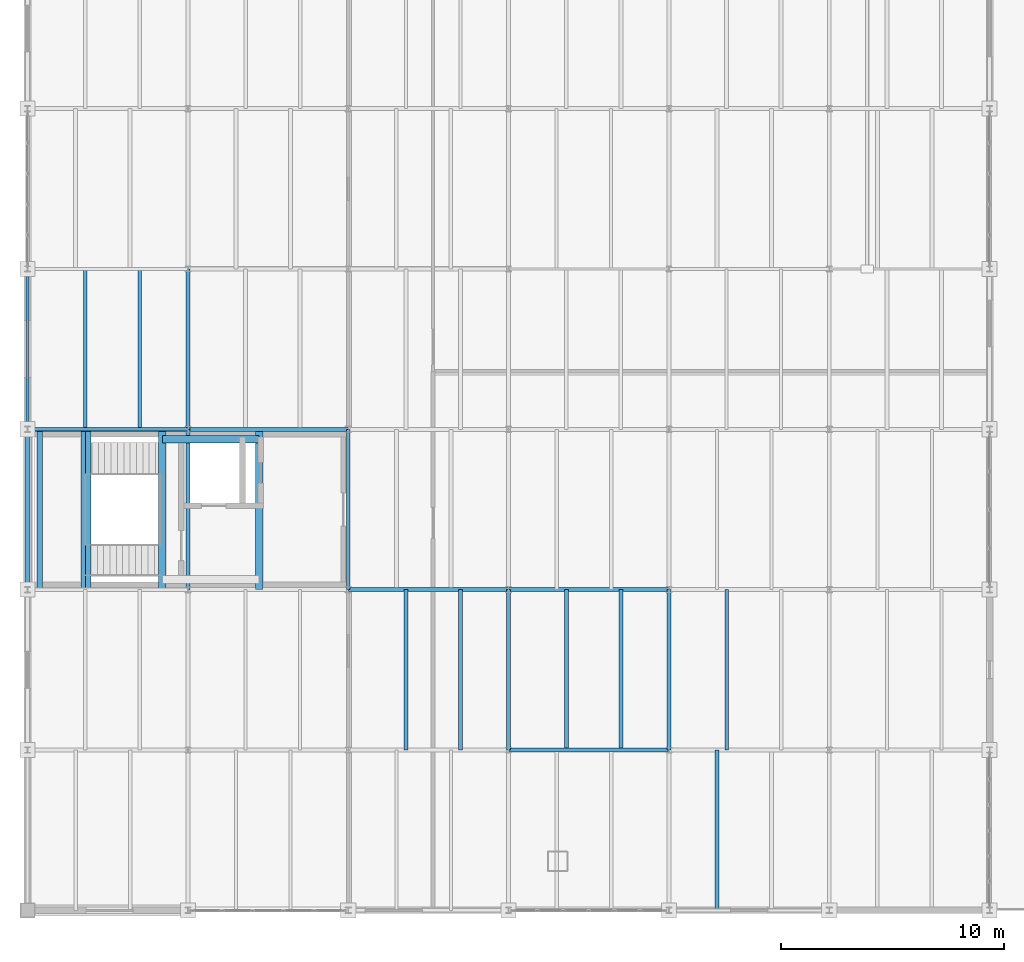
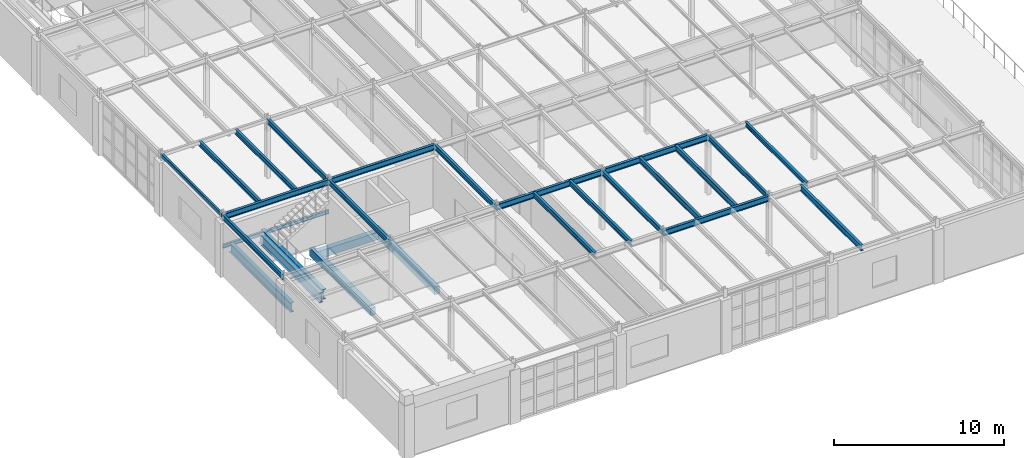
# One storey, part 11 of 36: 27 beams.
"""IFC4 building model written with IfcOpenShell, lengths in metres."""

from ifc_helpers import new_model, si_unit, direction, frame, origin, origin_2d, place, context, subcontext, project, spatial, rectangle, hollow_rectangle, i_section, extrude, material, material_profile, profile_set, type_object, element, save


model = new_model("IFC4")

# Units and contexts
model_context = context("Model", 3, precision=1e-05, world=origin(), true_north=direction((0.0, 1.0)))
body_context = subcontext(model_context, "Body", "Model", "MODEL_VIEW")
ifc_project = project(units=[si_unit("LENGTHUNIT", "METRE"), si_unit("AREAUNIT", "SQUARE_METRE"), si_unit("VOLUMEUNIT", "CUBIC_METRE"), si_unit("PLANEANGLEUNIT", "RADIAN"), si_unit("MASSUNIT", "GRAM", prefix="KILO")], contexts=[model_context])

# Site, building, storey
site_placement = place(None, origin())
site = spatial("IfcSite", under=ifc_project, at=site_placement, CompositionType="ELEMENT")
building_placement = place(site_placement, origin())
building = spatial("IfcBuilding", under=site, at=building_placement, Name="Kemerveld Promenade Tramway Depot", CompositionType="ELEMENT")
storey_placement = place(building_placement, frame((0.0, 0.0, 14.39990234375)))
storey = spatial("IfcBuildingStorey", under=building, at=storey_placement, Name="L03", CompositionType="ELEMENT", Elevation=14.39990234375)

# Beams
ifc_material_1 = material(Name="Steel S355", Category="steel")
ifc_material_profile_1 = material_profile(ifc_material_1, i_section(OverallWidth=0.25439453125, OverallDepth=0.6875, WebThickness=0.01318359375, FlangeThickness=0.02099609375, FilletRadius=0.01513671875, at=origin_2d()), Name="686x254x152 UB")
ifc_profile_set_1 = profile_set([ifc_material_profile_1], Name="Steel S355")
beam_type_1 = type_object("IfcBeamType", Name="BM-G03", PredefinedType="BEAM", material=ifc_profile_set_1)
for number, where, z_axis, x_axis, name in (
    (1, (0.550048828125, 14.39990234375, 1.726318359375), (0.0, 1.0, 0.0), (-1.0, 0.0, 0.0), "BM-HL-ST-01-L03-W"),
    (2, (2.530029296875, 14.39990234375, 1.726318359375), (0.0, 1.0, 0.0), (-1.0, 0.0, 0.0), "BM-HL-ST-01-L03-M"),
    (3, (2.719970703125, 14.39990234375, 1.90625), (0.0, 1.0, 0.0), (-1.0, 0.0, 0.0), "BM-HL-ST-01-L03-F2"),
):
    element("IfcBeam", number, at=place(storey_placement, frame(where, z_axis=z_axis, x_axis=x_axis)), inside=storey, type_object=beam_type_1, Name=name, PredefinedType="BEAM", context=body_context, shape_type="SweptSolid", body=[
        extrude(i_section(OverallWidth=0.25439453125, OverallDepth=0.6875, WebThickness=0.01318359375, FlangeThickness=0.02099609375, FilletRadius=0.01513671875, at=origin_2d()), origin(), (0.0, 0.0, 1.0), 7.2001953125),
    ])
ifc_material_profile_2 = material_profile(ifc_material_1, i_section(OverallWidth=0.1787109375, OverallDepth=0.409423828125, WebThickness=0.0087890625, FlangeThickness=0.014404296875, FilletRadius=0.01025390625, at=origin_2d()), Name="406x178x67 UB")
ifc_profile_set_2 = profile_set([ifc_material_profile_2], Name="Steel S355")
beam_type_2 = type_object("IfcBeamType", Name="BM-G07", PredefinedType="BEAM", material=ifc_profile_set_2)
beam_1_placement = place(storey_placement, frame((21.60009765625, 7.199951171875, 4.080322265625), z_axis=(1.0, 0.0, 0.0), x_axis=(0.0, 1.0, 0.0)))
element("IfcBeam", 4, at=beam_1_placement, inside=storey, type_object=beam_type_2, Name="BMX-L03-04-05-B", PredefinedType="BEAM", context=body_context, shape_type="SweptSolid", body=[
    extrude(i_section(OverallWidth=0.1787109375, OverallDepth=0.409423828125, WebThickness=0.0087890625, FlangeThickness=0.014404296875, FilletRadius=0.01025390625, at=origin_2d()), origin(), (0.0, 0.0, 1.0), 7.199951171875),
])
beam_2_placement = place(storey_placement, frame((14.39990234375, 14.39990234375, 4.075439453125), z_axis=(1.0, 0.0, 0.0), x_axis=(0.0, 1.0, 0.0)))
element("IfcBeam", 5, at=beam_2_placement, inside=storey, type_object=beam_type_2, Name="BMX-L03-03-04-C", PredefinedType="BEAM", context=body_context, shape_type="SweptSolid", body=[
    extrude(i_section(OverallWidth=0.1787109375, OverallDepth=0.409423828125, WebThickness=0.0087890625, FlangeThickness=0.014404296875, FilletRadius=0.01025390625, at=origin_2d()), origin(), (0.0, 0.0, 1.0), 7.2001953125),
])
for number, where, z_axis, x_axis, name in (
    (6, (21.60009765625, 14.39990234375, 4.080322265625), (1.0, 0.0, 0.0), (0.0, 1.0, 0.0), "BMX-L03-04-05-C"),
    (7, (0.0, 21.60009765625, 4.075439453125), (1.0, 0.0, 0.0), (0.0, 1.0, 0.0), "BMX-L03-01-02-D"),
    (8, (7.199951171875, 21.60009765625, 4.075439453125), (1.0, 0.0, 0.0), (0.0, 1.0, 0.0), "BMX-L03-02-03-D"),
):
    element("IfcBeam", number, at=place(storey_placement, frame(where, z_axis=z_axis, x_axis=x_axis)), inside=storey, type_object=beam_type_2, Name=name, PredefinedType="BEAM", context=body_context, shape_type="SweptSolid", body=[
        extrude(i_section(OverallWidth=0.1787109375, OverallDepth=0.409423828125, WebThickness=0.0087890625, FlangeThickness=0.014404296875, FilletRadius=0.01025390625, at=origin_2d()), origin(), (0.0, 0.0, 1.0), 7.199951171875),
    ])
ifc_material_profile_3 = material_profile(ifc_material_1, i_section(OverallWidth=0.172119140625, OverallDepth=0.35791015625, WebThickness=0.008056640625, FlangeThickness=0.012939453125, FilletRadius=0.01025390625, at=origin_2d()), Name="356x171x57 UB")
ifc_profile_set_3 = profile_set([ifc_material_profile_3], Name="Steel S355")
beam_type_3 = type_object("IfcBeamType", Name="BM-G08", PredefinedType="BEAM", material=ifc_profile_set_3)
for number, where, z_axis, x_axis, name in (
    (9, (0.0, 14.39990234375, 4.10107421875), (0.0, 1.0, 0.0), (-1.0, 0.0, 0.0), "BMY-L03-01-C-D"),
    (10, (7.199951171875, 14.39990234375, 4.10107421875), (0.0, 1.0, 0.0), (-1.0, 0.0, 0.0), "BMY-L03-02-C-D"),
):
    element("IfcBeam", number, at=place(storey_placement, frame(where, z_axis=z_axis, x_axis=x_axis)), inside=storey, type_object=beam_type_3, Name=name, PredefinedType="BEAM", context=body_context, shape_type="SweptSolid", body=[
        extrude(i_section(OverallWidth=0.172119140625, OverallDepth=0.35791015625, WebThickness=0.008056640625, FlangeThickness=0.012939453125, FilletRadius=0.01025390625, at=origin_2d()), origin(), (0.0, 0.0, 1.0), 7.2001953125),
    ])
beam_3_placement = place(storey_placement, frame((7.199951171875, 21.60009765625, 4.10107421875), z_axis=(0.0, 1.0, 0.0), x_axis=(-1.0, 0.0, 0.0)))
element("IfcBeam", 11, at=beam_3_placement, inside=storey, type_object=beam_type_3, Name="BMY-L03-02-D-E", PredefinedType="BEAM", context=body_context, shape_type="SweptSolid", body=[
    extrude(i_section(OverallWidth=0.172119140625, OverallDepth=0.35791015625, WebThickness=0.008056640625, FlangeThickness=0.012939453125, FilletRadius=0.01025390625, at=origin_2d()), origin(), (0.0, 0.0, 1.0), 7.199951171875),
])
beam_4_placement = place(storey_placement, frame((14.39990234375, 14.39990234375, 4.10107421875), z_axis=(0.0, 1.0, 0.0), x_axis=(-1.0, 0.0, 0.0)))
element("IfcBeam", 12, at=beam_4_placement, inside=storey, type_object=beam_type_3, Name="BMY-L03-03-C-D", PredefinedType="BEAM", context=body_context, shape_type="SweptSolid", body=[
    extrude(i_section(OverallWidth=0.172119140625, OverallDepth=0.35791015625, WebThickness=0.008056640625, FlangeThickness=0.012939453125, FilletRadius=0.01025390625, at=origin_2d()), origin(), (0.0, 0.0, 1.0), 7.2001953125),
])
for number, where, z_axis, x_axis, name in (
    (13, (21.60009765625, 7.199951171875, 4.106201171875), (0.0, 1.0, 0.0), (-1.0, 0.0, 0.0), "BMY-L03-04-B-C"),
    (14, (28.800048828125, 7.199951171875, 4.106201171875), (0.0, 1.0, 0.0), (-1.0, 0.0, 0.0), "BMY-L03-05-B-C"),
):
    element("IfcBeam", number, at=place(storey_placement, frame(where, z_axis=z_axis, x_axis=x_axis)), inside=storey, type_object=beam_type_3, Name=name, PredefinedType="BEAM", context=body_context, shape_type="SweptSolid", body=[
        extrude(i_section(OverallWidth=0.172119140625, OverallDepth=0.35791015625, WebThickness=0.008056640625, FlangeThickness=0.012939453125, FilletRadius=0.01025390625, at=origin_2d()), origin(), (0.0, 0.0, 1.0), 7.199951171875),
    ])
ifc_material_profile_4 = material_profile(ifc_material_1, i_section(OverallWidth=0.165771484375, OverallDepth=0.306640625, WebThickness=0.006591796875, FlangeThickness=0.01171875, FilletRadius=0.0087890625, at=origin_2d()), Name="305x165x46 UB")
ifc_profile_set_4 = profile_set([ifc_material_profile_4], Name="Steel S355")
beam_type_4 = type_object("IfcBeamType", Name="BM-J01", PredefinedType="JOIST", material=ifc_profile_set_4)
beam_5_placement = place(storey_placement, frame((31.39208984375, 7.199951171875, 4.1318359375), z_axis=(0.0, 1.0, 0.0), x_axis=(-1.0, 0.0, 0.0)))
element("IfcBeam", 15, at=beam_5_placement, inside=storey, type_object=beam_type_4, Name="JST-L03-05-B-1", PredefinedType="JOIST", context=body_context, shape_type="SweptSolid", body=[
    extrude(i_section(OverallWidth=0.165771484375, OverallDepth=0.306640625, WebThickness=0.006591796875, FlangeThickness=0.01171875, FilletRadius=0.0087890625, at=origin_2d()), origin(), (0.0, 0.0, 1.0), 7.199951171875),
])
ifc_material_profile_5 = material_profile(ifc_material_1, i_section(OverallWidth=0.146484375, OverallDepth=0.256103515625, WebThickness=0.00634765625, FlangeThickness=0.010986328125, FilletRadius=0.007568359375, at=origin_2d()), Name="254x146x37 UB")
ifc_profile_set_5 = profile_set([ifc_material_profile_5], Name="Steel S355")
beam_type_5 = type_object("IfcBeamType", Name="BM-J02", PredefinedType="JOIST", material=ifc_profile_set_5)
beam_6_placement = place(storey_placement, frame((0.0, 21.60009765625, 1.942138671875), z_axis=(1.0, 0.0, 0.0), x_axis=(0.0, 1.0, 0.0)))
element("IfcBeam", 16, at=beam_6_placement, inside=storey, type_object=beam_type_5, Name="BM-HLY-ST-01-L03-N", PredefinedType="JOIST", context=body_context, shape_type="SweptSolid", body=[
    extrude(i_section(OverallWidth=0.146484375, OverallDepth=0.256103515625, WebThickness=0.00634765625, FlangeThickness=0.010986328125, FilletRadius=0.007568359375, at=origin_2d()), origin(), (0.0, 0.0, 1.0), 7.199951171875),
])
ifc_material_profile_6 = material_profile(ifc_material_1, i_section(OverallWidth=0.172119140625, OverallDepth=0.35791015625, WebThickness=0.008056640625, FlangeThickness=0.012939453125, FilletRadius=0.01025390625, at=origin_2d()), Name="356x171x57 UB")
ifc_profile_set_6 = profile_set([ifc_material_profile_6], Name="Steel S355")
beam_type_6 = type_object("IfcBeamType", Name="BM-J04", PredefinedType="JOIST", material=ifc_profile_set_6)
for number, where, z_axis, x_axis, name in (
    (17, (2.592041015625, 21.60009765625, 4.10107421875), (0.0, 1.0, 0.0), (-1.0, 0.0, 0.0), "JST-L03-01-D-1"),
    (18, (5.0400390625, 21.60009765625, 4.10107421875), (0.0, 1.0, 0.0), (-1.0, 0.0, 0.0), "JST-L03-01-D-2"),
    (19, (16.991943359375, 7.199951171875, 4.106201171875), (0.0, 1.0, 0.0), (-1.0, 0.0, 0.0), "JST-L03-03-B-1"),
    (20, (19.43994140625, 7.199951171875, 4.106201171875), (0.0, 1.0, 0.0), (-1.0, 0.0, 0.0), "JST-L03-03-B-2"),
):
    element("IfcBeam", number, at=place(storey_placement, frame(where, z_axis=z_axis, x_axis=x_axis)), inside=storey, type_object=beam_type_6, Name=name, PredefinedType="JOIST", context=body_context, shape_type="SweptSolid", body=[
        extrude(i_section(OverallWidth=0.172119140625, OverallDepth=0.35791015625, WebThickness=0.008056640625, FlangeThickness=0.012939453125, FilletRadius=0.01025390625, at=origin_2d()), origin(), (0.0, 0.0, 1.0), 7.199951171875),
    ])
ifc_material_profile_7 = material_profile(ifc_material_1, i_section(OverallWidth=0.1787109375, OverallDepth=0.409423828125, WebThickness=0.0087890625, FlangeThickness=0.014404296875, FilletRadius=0.01025390625, at=origin_2d()), Name="406x178x67 UB")
ifc_profile_set_7 = profile_set([ifc_material_profile_7], Name="Steel S355")
beam_type_7 = type_object("IfcBeamType", Name="BM-J05", PredefinedType="JOIST", material=ifc_profile_set_7)
for number, where, z_axis, x_axis, name in (
    (21, (24.19189453125, 7.199951171875, 4.080322265625), (0.0, 1.0, 0.0), (-1.0, 0.0, 0.0), "JST-L03-04-B-1"),
    (22, (26.639892578125, 7.199951171875, 4.080322265625), (0.0, 1.0, 0.0), (-1.0, 0.0, 0.0), "JST-L03-04-B-2"),
    (23, (30.9599609375, 0.0, 4.080322265625), (0.0, 1.0, 0.0), (-1.0, 0.0, 0.0), "JST-L03-05-A-1"),
):
    element("IfcBeam", number, at=place(storey_placement, frame(where, z_axis=z_axis, x_axis=x_axis)), inside=storey, type_object=beam_type_7, Name=name, PredefinedType="JOIST", context=body_context, shape_type="SweptSolid", body=[
        extrude(i_section(OverallWidth=0.1787109375, OverallDepth=0.409423828125, WebThickness=0.0087890625, FlangeThickness=0.014404296875, FilletRadius=0.01025390625, at=origin_2d()), origin(), (0.0, 0.0, 1.0), 7.199951171875),
    ])
ifc_material_2 = material(Name="Concrete C40/50", Category="concrete")
ifc_material_profile_8 = material_profile(ifc_material_2, rectangle(XDim=0.35009765625, YDim=0.550048828125, at=origin_2d()), Name="RC-BM-350x550")
ifc_profile_set_8 = profile_set([ifc_material_profile_8], Name="Concrete C40/50")
beam_type_8 = type_object("IfcBeamType", Name="BM-RC3", PredefinedType="BEAM", material=ifc_profile_set_8)
for number, where, z_axis, x_axis, name in (
    (24, (6.050048828125, 14.39990234375, -0.5), (0.0, 1.0, 0.0), (-1.0, 0.0, 0.0), "BM-CORE-C1-L03-W"),
    (25, (10.39990234375, 14.39990234375, -0.5), (0.0, 1.0, 0.0), (-1.0, 0.0, 0.0), "BM-CORE-C1-L03-E"),
):
    element("IfcBeam", number, at=place(storey_placement, frame(where, z_axis=z_axis, x_axis=x_axis)), inside=storey, type_object=beam_type_8, Name=name, PredefinedType="BEAM", context=body_context, shape_type="SweptSolid", body=[
        extrude(rectangle(XDim=0.35009765625, YDim=0.550048828125, at=origin_2d()), origin(), (0.0, 0.0, 1.0), 7.2001953125),
    ])
beam_7_placement = place(storey_placement, frame((6.050048828125, 21.14990234375, -0.5), z_axis=(1.0, 0.0, 0.0), x_axis=(0.0, 1.0, 0.0)))
element("IfcBeam", 26, at=beam_7_placement, inside=storey, type_object=beam_type_8, Name="BM-COREX-C1-L03-N", PredefinedType="BEAM", context=body_context, shape_type="SweptSolid", body=[
    extrude(rectangle(XDim=0.35009765625, YDim=0.550048828125, at=origin_2d()), origin(), (0.0, 0.0, 1.0), 4.349853515625),
])
ifc_material_profile_9 = material_profile(ifc_material_1, hollow_rectangle(XDim=0.14990234375, YDim=0.25, WallThickness=0.010009765625, InnerFilletRadius=0.0048828125, OuterFilletRadius=0.014892578125, at=origin_2d()), Name="250x150x10.0 RHS")
ifc_profile_set_9 = profile_set([ifc_material_profile_9], Name="Steel S355")
beam_type_9 = type_object("IfcBeamType", Name="BM-SP2", PredefinedType="SPANDREL", material=ifc_profile_set_9)
beam_8_placement = place(storey_placement, frame((0.0, 21.60009765625, 4.155029296875), z_axis=(0.0, 1.0, 0.0), x_axis=(-1.0, 0.0, 0.0)))
element("IfcBeam", 27, at=beam_8_placement, inside=storey, type_object=beam_type_9, Name="BMY-L03-01-D-E", PredefinedType="SPANDREL", context=body_context, shape_type="SweptSolid", body=[
    extrude(hollow_rectangle(XDim=0.14990234375, YDim=0.25, WallThickness=0.010009765625, InnerFilletRadius=0.0048828125, OuterFilletRadius=0.014892578125, at=origin_2d()), origin(), (0.0, 0.0, 1.0), 7.199951171875),
])

save(model, "model.ifc")
